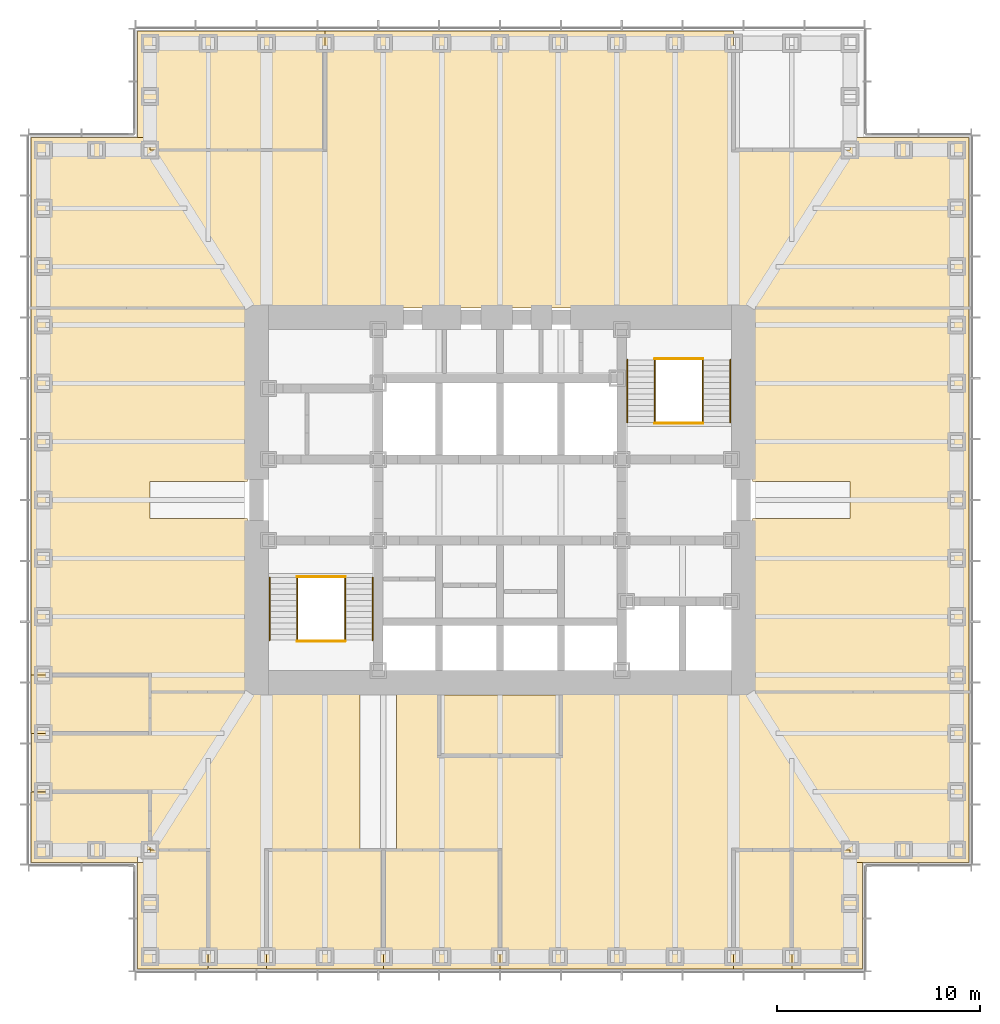
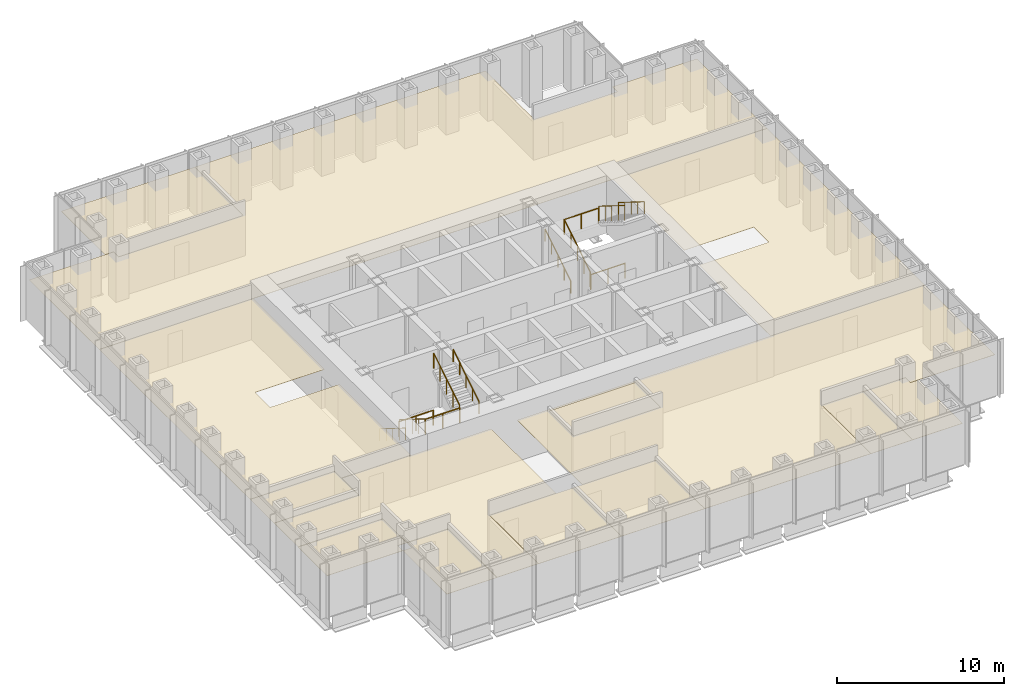
# One storey, part 16 of 16: 14 coverings, 12 railings.
"""IFC4 building model written with IfcOpenShell, lengths in metres."""

from ifc_helpers import new_model, si_unit, direction, frame, origin, origin_2d, place, context, subcontext, project, spatial, polyline, circle, outline, extrude, material, layer, layer_set, type_object, element, save


model = new_model("IFC4")

# Units and contexts
model_context = context("Model", 3, precision=1e-05, world=origin(), true_north=direction((0.0, 1.0)))
body_context = subcontext(model_context, "Body", "Model", "MODEL_VIEW")
ifc_project = project(units=[si_unit("LENGTHUNIT", "METRE"), si_unit("AREAUNIT", "SQUARE_METRE"), si_unit("VOLUMEUNIT", "CUBIC_METRE"), si_unit("PLANEANGLEUNIT", "RADIAN"), si_unit("MASSUNIT", "GRAM", prefix="KILO")], contexts=[model_context])

# Site, building, storey
site_placement = place(None, origin())
site = spatial("IfcSite", under=ifc_project, at=site_placement, CompositionType="ELEMENT")
building_placement = place(site_placement, origin())
building = spatial("IfcBuilding", under=site, at=building_placement, Name="Daluyong Arena Tower", CompositionType="ELEMENT")
storey_placement = place(building_placement, frame((0.0, 0.0, 116.5)))
storey = spatial("IfcBuildingStorey", under=building, at=storey_placement, Name="L25", CompositionType="ELEMENT", Elevation=116.5)

# Coverings
ifc_material_1 = material(Name="Mineral fibre ceiling tile", Category="gypsum board")
ifc_layer = layer(ifc_material_1, 0.02001953125)
ifc_layer_set = layer_set([ifc_layer], Name="Mineral fibre ceiling tile")
covering_type = type_object("IfcCoveringType", Name="Office ceiling", PredefinedType="CEILING", material=ifc_layer_set)
covering_1_placement = place(storey_placement, frame((0.0, 0.0, 2.89990234375)))
element("IfcCovering", 1, at=covering_1_placement, inside=storey, type_object=covering_type, Name="ceiling L25-01", PredefinedType="CEILING", context=body_context, shape_type="SweptSolid", body=[
    extrude(outline(polyline([(38.14990234375, 62.14990234375), (38.14990234375, 56.89990234375), (41.625, 56.89990234375), (41.625, 62.75), (38.75, 62.75), (38.75, 62.14990234375), (38.14990234375, 62.14990234375)])), origin(), (0.0, 0.0, 1.0), 0.02001953125),
])
covering_2_placement = place(storey_placement, frame((0.0, 0.0, 2.89990234375)))
element("IfcCovering", 2, at=covering_2_placement, inside=storey, type_object=covering_type, Name="ceiling L25-02", PredefinedType="CEILING", context=body_context, shape_type="SweptSolid", body=[
    extrude(outline(polyline([(44.5, 62.75), (44.5, 56.89990234375), (50.25, 56.89990234375), (50.25, 62.75), (44.5, 62.75)])), origin(), (0.0, 0.0, 1.0), 0.02001953125),
])
covering_3_placement = place(storey_placement, frame((0.0, 0.0, 2.89990234375)))
element("IfcCovering", 3, at=covering_3_placement, inside=storey, type_object=covering_type, Name="ceiling L25-03", PredefinedType="CEILING", context=body_context, shape_type="SweptSolid", body=[
    extrude(outline(polyline([(50.25, 62.75), (50.25, 56.89990234375), (56.0, 56.89990234375), (56.0, 62.75), (50.25, 62.75)])), origin(), (0.0, 0.0, 1.0), 0.02001953125),
])
covering_4_placement = place(storey_placement, frame((0.0, 0.0, 2.89990234375)))
element("IfcCovering", 4, at=covering_4_placement, inside=storey, type_object=covering_type, Name="ceiling L25-04", PredefinedType="CEILING", context=body_context, shape_type="SweptSolid", body=[
    extrude(outline(polyline([(67.5, 62.75), (67.5, 56.89990234375), (70.375, 56.89990234375), (70.375, 62.75), (67.5, 62.75)])), origin(), (0.0, 0.0, 1.0), 0.02001953125),
])
covering_5_placement = place(storey_placement, frame((0.0, 0.0, 2.89990234375)))
element("IfcCovering", 5, at=covering_5_placement, inside=storey, type_object=covering_type, Name="ceiling L25-05", PredefinedType="CEILING", context=body_context, shape_type="SweptSolid", body=[
    extrude(outline(polyline([(73.85009765625, 56.89990234375), (73.85009765625, 62.14990234375), (73.25, 62.14990234375), (73.25, 62.75), (70.375, 62.75), (70.375, 56.89990234375), (73.85009765625, 56.89990234375)])), origin(), (0.0, 0.0, 1.0), 0.02001953125),
])
covering_6_placement = place(storey_placement, frame((0.0, 0.0, 2.89990234375)))
element("IfcCovering", 6, at=covering_6_placement, inside=storey, type_object=covering_type, Name="ceiling L25-06", PredefinedType="CEILING", context=body_context, shape_type="SweptSolid", body=[
    extrude(outline(polyline([(47.375, 97.25), (47.375, 103.10009765625), (38.14990234375, 103.10009765625), (38.14990234375, 97.85009765625), (38.75, 97.85009765625), (38.75, 97.25), (47.375, 97.25)])), origin(), (0.0, 0.0, 1.0), 0.02001953125),
])
covering_7_placement = place(storey_placement, frame((0.0, 0.0, 2.89990234375)))
element("IfcCovering", 7, at=covering_7_placement, inside=storey, type_object=covering_type, Name="ceiling L25-08", PredefinedType="CEILING", context=body_context, shape_type="SweptSolid", body=[
    extrude(outline(polyline([(32.89990234375, 62.14990234375), (38.14990234375, 62.14990234375), (38.14990234375, 62.75), (38.75, 62.75), (38.75, 65.625), (32.89990234375, 65.625), (32.89990234375, 62.14990234375)])), origin(), (0.0, 0.0, 1.0), 0.02001953125),
])
covering_8_placement = place(storey_placement, frame((0.0, 0.0, 2.89990234375)))
element("IfcCovering", 8, at=covering_8_placement, inside=storey, type_object=covering_type, Name="ceiling L25-09", PredefinedType="CEILING", context=body_context, shape_type="SweptSolid", body=[
    extrude(outline(polyline([(38.75, 71.375), (32.89990234375, 71.375), (32.89990234375, 68.5), (38.75, 68.5), (38.75, 71.375)])), origin(), (0.0, 0.0, 1.0), 0.02001953125),
])
covering_9_placement = place(storey_placement, frame((0.0, 0.0, 2.89990234375)))
element("IfcCovering", 9, at=covering_9_placement, inside=storey, type_object=covering_type, Name="ceiling L25-10", PredefinedType="CEILING", context=body_context, shape_type="SweptSolid", body=[
    extrude(outline(polyline([(53.0, 67.39990234375), (59.0, 67.39990234375), (59.0, 70.39990234375), (53.0, 70.39990234375), (53.0, 67.39990234375)])), origin(), (0.0, 0.0, 1.0), 0.02001953125),
])
covering_10_placement = place(storey_placement, frame((0.0, 0.0, 2.89990234375)))
element("IfcCovering", 10, at=covering_10_placement, inside=storey, type_object=covering_type, Name="ceiling L25-14", PredefinedType="CEILING", context=body_context, shape_type="SweptSolid", body=[
    extrude(outline(polyline([(79.10009765625, 62.14990234375), (79.10009765625, 70.550048828125), (50.89990234375, 70.550048828125), (50.89990234375, 62.75), (56.0, 62.75), (56.0, 56.89990234375), (67.5, 56.89990234375), (67.5, 62.75), (73.25, 62.75), (73.25, 62.14990234375), (79.10009765625, 62.14990234375)]), holes=[polyline([(59.0, 70.39990234375), (59.0, 67.39990234375), (53.0, 67.39990234375), (53.0, 70.39990234375), (59.0, 70.39990234375)])]), origin(), (0.0, 0.0, 1.0), 0.02001953125),
])
covering_11_placement = place(storey_placement, frame((0.0, 0.0, 2.89990234375)))
element("IfcCovering", 11, at=covering_11_placement, inside=storey, type_object=covering_type, Name="ceiling L25-15", PredefinedType="CEILING", context=body_context, shape_type="SweptSolid", body=[
    extrude(outline(polyline([(38.760009765625, 62.760009765625), (41.635009765625, 62.760009765625), (41.635009765625, 56.909912109375), (44.489990234375, 56.909912109375), (44.489990234375, 62.760009765625), (49.090087890625, 62.760009765625), (49.090087890625, 70.5400390625), (38.760009765625, 70.5400390625), (38.760009765625, 68.489990234375), (32.909912109375, 68.489990234375), (32.909912109375, 65.635009765625), (38.760009765625, 65.635009765625), (38.760009765625, 62.760009765625)])), origin(), (0.0, 0.0, 1.0), 0.02001953125),
])
covering_12_placement = place(storey_placement, frame((0.0, 0.0, 2.89990234375)))
element("IfcCovering", 12, at=covering_12_placement, inside=storey, type_object=covering_type, Name="ceiling L25-16", PredefinedType="CEILING", context=body_context, shape_type="SweptSolid", body=[
    extrude(outline(polyline([(79.10009765625, 70.550048828125), (79.10009765625, 89.449951171875), (68.449951171875, 89.449951171875), (68.449951171875, 80.89990234375), (73.25, 80.89990234375), (73.25, 79.10009765625), (68.449951171875, 79.10009765625), (68.449951171875, 70.550048828125), (79.10009765625, 70.550048828125)])), origin(), (0.0, 0.0, 1.0), 0.02001953125),
])
covering_13_placement = place(storey_placement, frame((0.0, 0.0, 2.89990234375)))
element("IfcCovering", 13, at=covering_13_placement, inside=storey, type_object=covering_type, Name="ceiling L25-17", PredefinedType="CEILING", context=body_context, shape_type="SweptSolid", body=[
    extrude(outline(polyline([(32.89990234375, 97.85009765625), (32.89990234375, 89.449951171875), (79.10009765625, 89.449951171875), (79.10009765625, 97.85009765625), (73.25, 97.85009765625), (73.25, 97.25), (67.5, 97.25), (67.5, 103.10009765625), (47.375, 103.10009765625), (47.375, 97.25), (38.75, 97.25), (38.75, 97.85009765625), (32.89990234375, 97.85009765625)])), origin(), (0.0, 0.0, 1.0), 0.02001953125),
])
covering_14_placement = place(storey_placement, frame((0.0, 0.0, 2.89990234375)))
element("IfcCovering", 14, at=covering_14_placement, inside=storey, type_object=covering_type, Name="ceiling L25-18", PredefinedType="CEILING", context=body_context, shape_type="SweptSolid", body=[
    extrude(outline(polyline([(32.89990234375, 89.449951171875), (32.89990234375, 71.375), (38.75, 71.375), (38.75, 70.550048828125), (43.550048828125, 70.550048828125), (43.550048828125, 79.10009765625), (38.75, 79.10009765625), (38.75, 80.89990234375), (43.550048828125, 80.89990234375), (43.550048828125, 89.449951171875), (32.89990234375, 89.449951171875)])), origin(), (0.0, 0.0, 1.0), 0.02001953125),
])

# Railings
ifc_material_2 = material(Name="Stainless steel handrail", Category="steel")
railing_type_1 = type_object("IfcRailingType", Name="Stair handrail", PredefinedType="HANDRAIL", material=ifc_material_2)
railing_1_placement = place(storey_placement, frame((44.64990234375, 76.175048828125, 0.175048828125)))
element("IfcRailing", 15, at=railing_1_placement, inside=storey, type_object=railing_type_1, Name="exit stair A handrail L25", PredefinedType="HANDRAIL", context=body_context, shape_type="SweptSolid", body=[
    extrude(circle(Radius=0.02392578125, at=origin_2d()), frame((0.0, 0.0, 0.8759765625), z_axis=(0.0, -0.847998304005, 0.529998940003), x_axis=(1.0, 0.0, 0.0)), (0.0, 0.0, 1.0), 3.632080078125),
    extrude(circle(Radius=0.02099609375, at=origin_2d()), origin(), (0.0, 0.0, 1.0), 0.851806640625),
    extrude(circle(Radius=0.02099609375, at=origin_2d()), frame((0.0, -0.77001953125, 0.481201171875)), (0.0, 0.0, 1.0), 0.851806640625),
    extrude(circle(Radius=0.02099609375, at=origin_2d()), frame((0.0, -1.5400390625, 0.96240234375)), (0.0, 0.0, 1.0), 0.851806640625),
    extrude(circle(Radius=0.02099609375, at=origin_2d()), frame((0.0, -2.31005859375, 1.44384765625)), (0.0, 0.0, 1.0), 0.851806640625),
    extrude(circle(Radius=0.02099609375, at=origin_2d()), frame((0.0, -3.080078125, 1.925048828125)), (0.0, 0.0, 1.0), 0.851806640625),
])
for number, where, name in (
    (16, (49.72509765625, 73.094970703125, 2.27490234375), "exit stair A handrail L25"),
    (17, (62.27490234375, 83.824951171875, 0.175048828125), "exit stair B handrail L25"),
):
    element("IfcRailing", number, at=place(storey_placement, frame(where)), inside=storey, type_object=railing_type_1, Name=name, PredefinedType="HANDRAIL", context=body_context, shape_type="SweptSolid", body=[
        extrude(circle(Radius=0.02392578125, at=origin_2d()), frame((0.0, 0.0, 0.8759765625), z_axis=(0.0, 0.847998304005, 0.529998940003), x_axis=(-1.0, 0.0, 0.0)), (0.0, 0.0, 1.0), 3.632080078125),
        extrude(circle(Radius=0.02099609375, at=origin_2d()), origin(), (0.0, 0.0, 1.0), 0.851806640625),
        extrude(circle(Radius=0.02099609375, at=origin_2d()), frame((0.0, 0.77001953125, 0.481201171875)), (0.0, 0.0, 1.0), 0.851806640625),
        extrude(circle(Radius=0.02099609375, at=origin_2d()), frame((0.0, 1.5400390625, 0.96240234375)), (0.0, 0.0, 1.0), 0.851806640625),
        extrude(circle(Radius=0.02099609375, at=origin_2d()), frame((0.0, 2.31005859375, 1.44384765625)), (0.0, 0.0, 1.0), 0.851806640625),
        extrude(circle(Radius=0.02099609375, at=origin_2d()), frame((0.0, 3.080078125, 1.925048828125)), (0.0, 0.0, 1.0), 0.851806640625),
    ])
railing_2_placement = place(storey_placement, frame((67.35009765625, 86.905029296875, 2.27490234375)))
element("IfcRailing", 18, at=railing_2_placement, inside=storey, type_object=railing_type_1, Name="exit stair B handrail L25", PredefinedType="HANDRAIL", context=body_context, shape_type="SweptSolid", body=[
    extrude(circle(Radius=0.02392578125, at=origin_2d()), frame((0.0, 0.0, 0.8759765625), z_axis=(0.0, -0.847998304005, 0.529998940003), x_axis=(1.0, 0.0, 0.0)), (0.0, 0.0, 1.0), 3.632080078125),
    extrude(circle(Radius=0.02099609375, at=origin_2d()), origin(), (0.0, 0.0, 1.0), 0.851806640625),
    extrude(circle(Radius=0.02099609375, at=origin_2d()), frame((0.0, -0.77001953125, 0.481201171875)), (0.0, 0.0, 1.0), 0.851806640625),
    extrude(circle(Radius=0.02099609375, at=origin_2d()), frame((0.0, -1.5400390625, 0.96240234375)), (0.0, 0.0, 1.0), 0.851806640625),
    extrude(circle(Radius=0.02099609375, at=origin_2d()), frame((0.0, -2.31005859375, 1.44384765625)), (0.0, 0.0, 1.0), 0.851806640625),
    extrude(circle(Radius=0.02099609375, at=origin_2d()), frame((0.0, -3.080078125, 1.925048828125)), (0.0, 0.0, 1.0), 0.851806640625),
])
ifc_material_3 = material(Name="Steel balustrade", Category="steel")
railing_type_2 = type_object("IfcRailingType", Name="Stair well guard 1100", PredefinedType="GUARDRAIL", material=ifc_material_3)
railing_3_placement = place(storey_placement, frame((46.0, 76.175048828125, 0.175048828125)))
element("IfcRailing", 19, at=railing_3_placement, inside=storey, type_object=railing_type_2, Name="exit stair A well guard L25", PredefinedType="GUARDRAIL", context=body_context, shape_type="SweptSolid", body=[
    extrude(circle(Radius=0.02392578125, at=origin_2d()), frame((0.0, 0.0, 1.076171875), z_axis=(0.0, -0.847998304005, 0.529998940003), x_axis=(1.0, 0.0, 0.0)), (0.0, 0.0, 1.0), 3.632080078125),
    extrude(circle(Radius=0.02099609375, at=origin_2d()), origin(), (0.0, 0.0, 1.0), 1.052001953125),
    extrude(circle(Radius=0.02099609375, at=origin_2d()), frame((0.0, -0.77001953125, 0.481201171875)), (0.0, 0.0, 1.0), 1.052001953125),
    extrude(circle(Radius=0.02099609375, at=origin_2d()), frame((0.0, -1.5400390625, 0.96240234375)), (0.0, 0.0, 1.0), 1.052001953125),
    extrude(circle(Radius=0.02099609375, at=origin_2d()), frame((0.0, -2.31005859375, 1.44384765625)), (0.0, 0.0, 1.0), 1.052001953125),
    extrude(circle(Radius=0.02099609375, at=origin_2d()), frame((0.0, -3.080078125, 1.925048828125)), (0.0, 0.0, 1.0), 1.052001953125),
])
railing_4_placement = place(storey_placement, frame((48.375, 73.094970703125, 2.27490234375)))
element("IfcRailing", 20, at=railing_4_placement, inside=storey, type_object=railing_type_2, Name="exit stair A well guard L25", PredefinedType="GUARDRAIL", context=body_context, shape_type="SweptSolid", body=[
    extrude(circle(Radius=0.02392578125, at=origin_2d()), frame((0.0, 0.0, 1.076171875), z_axis=(0.0, 0.847998304005, 0.529998940003), x_axis=(-1.0, 0.0, 0.0)), (0.0, 0.0, 1.0), 3.632080078125),
    extrude(circle(Radius=0.02099609375, at=origin_2d()), origin(), (0.0, 0.0, 1.0), 1.052001953125),
    extrude(circle(Radius=0.02099609375, at=origin_2d()), frame((0.0, 0.77001953125, 0.481201171875)), (0.0, 0.0, 1.0), 1.052001953125),
    extrude(circle(Radius=0.02099609375, at=origin_2d()), frame((0.0, 1.5400390625, 0.96240234375)), (0.0, 0.0, 1.0), 1.052001953125),
    extrude(circle(Radius=0.02099609375, at=origin_2d()), frame((0.0, 2.31005859375, 1.44384765625)), (0.0, 0.0, 1.0), 1.052001953125),
    extrude(circle(Radius=0.02099609375, at=origin_2d()), frame((0.0, 3.080078125, 1.925048828125)), (0.0, 0.0, 1.0), 1.052001953125),
])
for number, where, name in (
    (21, (46.0, 73.044921875, 2.10009765625), "exit stair A landing guard L25"),
    (22, (46.0, 76.22509765625, 0.0), "exit stair A floor landing guard L25"),
):
    element("IfcRailing", number, at=place(storey_placement, frame(where)), inside=storey, type_object=railing_type_2, Name=name, PredefinedType="GUARDRAIL", context=body_context, shape_type="SweptSolid", body=[
        extrude(circle(Radius=0.02392578125, at=origin_2d()), frame((0.0, 0.0, 1.076171875), z_axis=(1.0, 0.0, 0.0), x_axis=(0.0, 1.0, 0.0)), (0.0, 0.0, 1.0), 2.375),
        extrude(circle(Radius=0.02099609375, at=origin_2d()), origin(), (0.0, 0.0, 1.0), 1.052001953125),
        extrude(circle(Radius=0.02099609375, at=origin_2d()), frame((1.1875, 0.0, 0.0)), (0.0, 0.0, 1.0), 1.052001953125),
        extrude(circle(Radius=0.02099609375, at=origin_2d()), frame((2.375, 0.0, 0.0)), (0.0, 0.0, 1.0), 1.052001953125),
    ])
railing_5_placement = place(storey_placement, frame((63.625, 83.824951171875, 0.175048828125)))
element("IfcRailing", 23, at=railing_5_placement, inside=storey, type_object=railing_type_2, Name="exit stair B well guard L25", PredefinedType="GUARDRAIL", context=body_context, shape_type="SweptSolid", body=[
    extrude(circle(Radius=0.02392578125, at=origin_2d()), frame((0.0, 0.0, 1.076171875), z_axis=(0.0, 0.847998304005, 0.529998940003), x_axis=(-1.0, 0.0, 0.0)), (0.0, 0.0, 1.0), 3.632080078125),
    extrude(circle(Radius=0.02099609375, at=origin_2d()), origin(), (0.0, 0.0, 1.0), 1.052001953125),
    extrude(circle(Radius=0.02099609375, at=origin_2d()), frame((0.0, 0.77001953125, 0.481201171875)), (0.0, 0.0, 1.0), 1.052001953125),
    extrude(circle(Radius=0.02099609375, at=origin_2d()), frame((0.0, 1.5400390625, 0.96240234375)), (0.0, 0.0, 1.0), 1.052001953125),
    extrude(circle(Radius=0.02099609375, at=origin_2d()), frame((0.0, 2.31005859375, 1.44384765625)), (0.0, 0.0, 1.0), 1.052001953125),
    extrude(circle(Radius=0.02099609375, at=origin_2d()), frame((0.0, 3.080078125, 1.925048828125)), (0.0, 0.0, 1.0), 1.052001953125),
])
railing_6_placement = place(storey_placement, frame((66.0, 86.905029296875, 2.27490234375)))
element("IfcRailing", 24, at=railing_6_placement, inside=storey, type_object=railing_type_2, Name="exit stair B well guard L25", PredefinedType="GUARDRAIL", context=body_context, shape_type="SweptSolid", body=[
    extrude(circle(Radius=0.02392578125, at=origin_2d()), frame((0.0, 0.0, 1.076171875), z_axis=(0.0, -0.847998304005, 0.529998940003), x_axis=(1.0, 0.0, 0.0)), (0.0, 0.0, 1.0), 3.632080078125),
    extrude(circle(Radius=0.02099609375, at=origin_2d()), origin(), (0.0, 0.0, 1.0), 1.052001953125),
    extrude(circle(Radius=0.02099609375, at=origin_2d()), frame((0.0, -0.77001953125, 0.481201171875)), (0.0, 0.0, 1.0), 1.052001953125),
    extrude(circle(Radius=0.02099609375, at=origin_2d()), frame((0.0, -1.5400390625, 0.96240234375)), (0.0, 0.0, 1.0), 1.052001953125),
    extrude(circle(Radius=0.02099609375, at=origin_2d()), frame((0.0, -2.31005859375, 1.44384765625)), (0.0, 0.0, 1.0), 1.052001953125),
    extrude(circle(Radius=0.02099609375, at=origin_2d()), frame((0.0, -3.080078125, 1.925048828125)), (0.0, 0.0, 1.0), 1.052001953125),
])
for number, where, name in (
    (25, (63.625, 86.955078125, 2.10009765625), "exit stair B landing guard L25"),
    (26, (63.625, 83.77490234375, 0.0), "exit stair B floor landing guard L25"),
):
    element("IfcRailing", number, at=place(storey_placement, frame(where)), inside=storey, type_object=railing_type_2, Name=name, PredefinedType="GUARDRAIL", context=body_context, shape_type="SweptSolid", body=[
        extrude(circle(Radius=0.02392578125, at=origin_2d()), frame((0.0, 0.0, 1.076171875), z_axis=(1.0, 0.0, 0.0), x_axis=(0.0, 1.0, 0.0)), (0.0, 0.0, 1.0), 2.375),
        extrude(circle(Radius=0.02099609375, at=origin_2d()), origin(), (0.0, 0.0, 1.0), 1.052001953125),
        extrude(circle(Radius=0.02099609375, at=origin_2d()), frame((1.1875, 0.0, 0.0)), (0.0, 0.0, 1.0), 1.052001953125),
        extrude(circle(Radius=0.02099609375, at=origin_2d()), frame((2.375, 0.0, 0.0)), (0.0, 0.0, 1.0), 1.052001953125),
    ])

save(model, "model.ifc")
